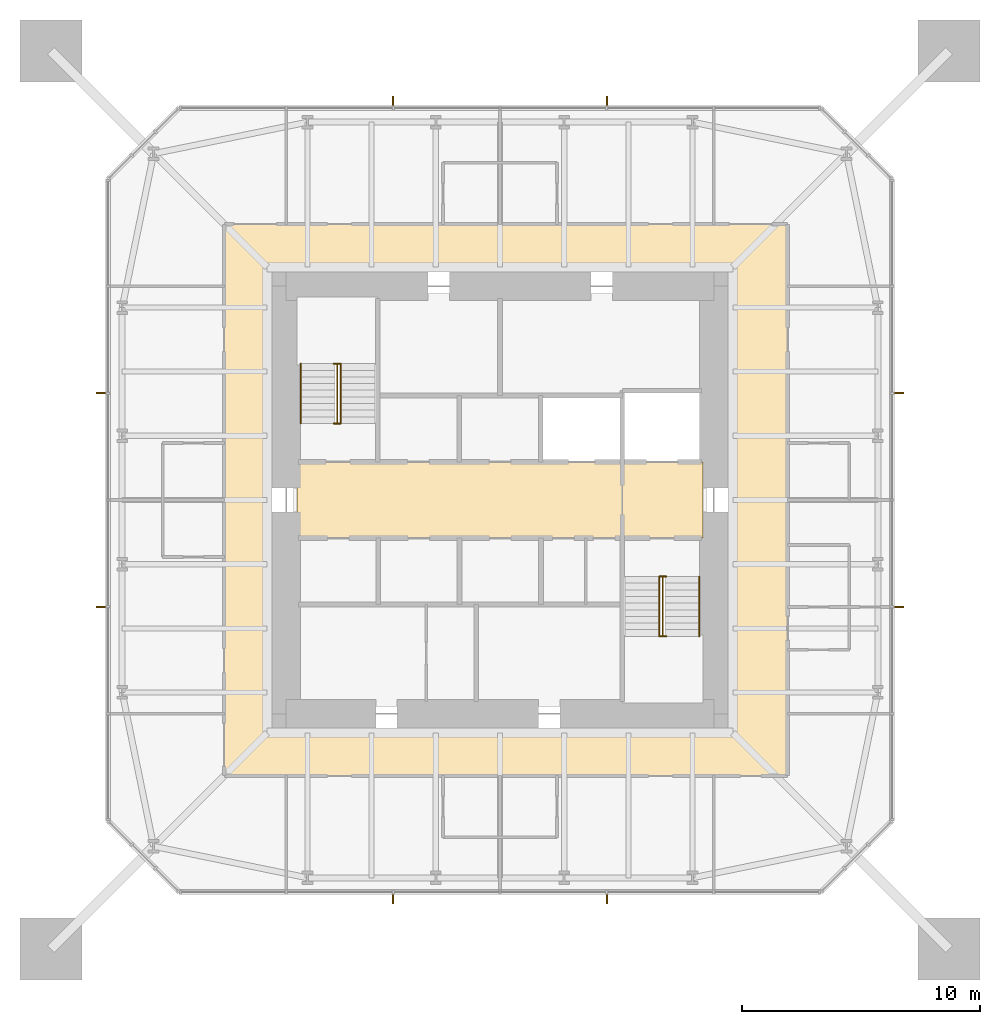
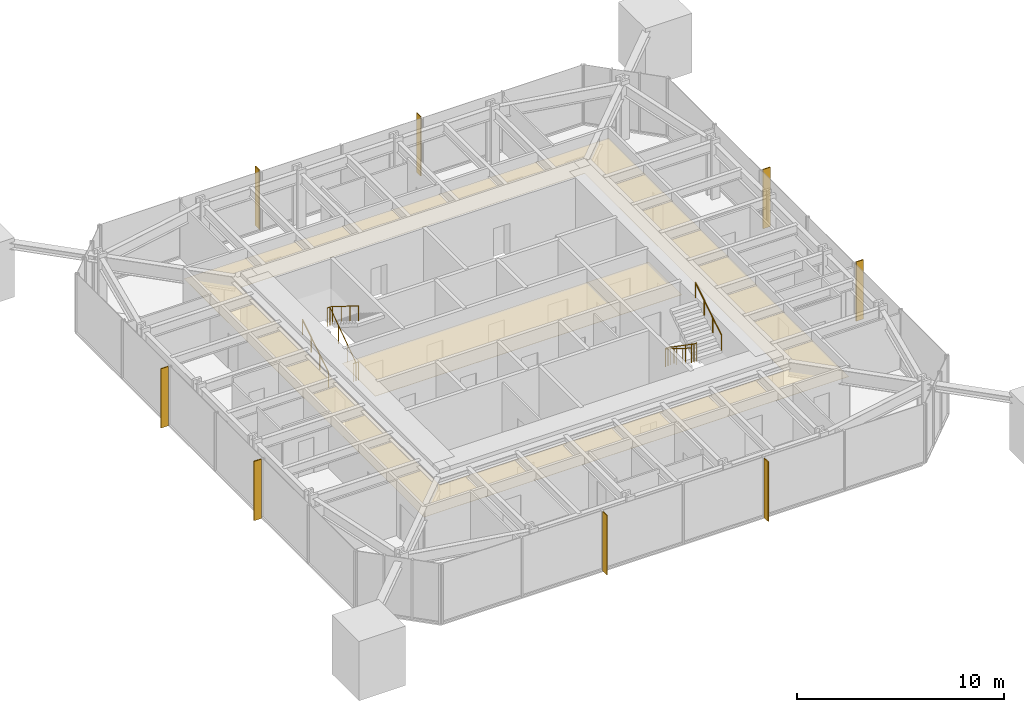
# One storey, part 9 of 9: 8 shading devices, 6 railings, 3 coverings.
"""IFC4 building model written with IfcOpenShell, lengths in metres."""

from ifc_helpers import new_model, si_unit, direction, frame, origin, origin_2d, place, context, subcontext, project, spatial, polyline, rectangle, circle, outline, extrude, material, layer, layer_set, constituent, constituent_set, type_object, element, save


model = new_model("IFC4")

# Units and contexts
model_context = context("Model", 3, precision=1e-05, world=origin(), true_north=direction((0.0, 1.0)))
body_context = subcontext(model_context, "Body", "Model", "MODEL_VIEW")
ifc_project = project(units=[si_unit("LENGTHUNIT", "METRE"), si_unit("AREAUNIT", "SQUARE_METRE"), si_unit("VOLUMEUNIT", "CUBIC_METRE"), si_unit("PLANEANGLEUNIT", "RADIAN"), si_unit("MASSUNIT", "GRAM", prefix="KILO")], contexts=[model_context])

# Site, building, storey
site_placement = place(None, origin())
site = spatial("IfcSite", under=ifc_project, at=site_placement, CompositionType="ELEMENT")
building_placement = place(site_placement, origin())
building = spatial("IfcBuilding", under=site, at=building_placement, Name="Iwan Alto Co-Living Towers", CompositionType="ELEMENT")
storey_placement = place(building_placement, frame((0.0, 0.0, 250.0)))
storey = spatial("IfcBuildingStorey", under=building, at=storey_placement, Name="L68", CompositionType="ELEMENT", Elevation=250.0)

# Coverings
ifc_material_1 = material(Name="Mineral fibre acoustic tiles on steel grid", Category="steel")
ifc_layer_1 = layer(ifc_material_1, 0.02001953125)
ifc_layer_set_1 = layer_set([ifc_layer_1], Name="ACOUSTIC TILE CEILING 20")
covering_type_1 = type_object("IfcCoveringType", Name="ACOUSTIC TILE CEILING 20", PredefinedType="CEILING", material=ifc_layer_set_1)
covering_1_placement = place(storey_placement, frame((0.0, 0.0, 2.60009765625)))
element("IfcCovering", 1, at=covering_1_placement, inside=storey, type_object=covering_type_1, Name="Ceiling Lift lobby L68", PredefinedType="CEILING", context=body_context, shape_type="SweptSolid", body=[
    extrude(outline(polyline([(-8.550048828125, -1.60009765625), (-8.550048828125, 1.60009765625), (5.14990234375, 1.60009765625), (5.14990234375, -1.60009765625), (-8.550048828125, -1.60009765625)])), origin(), (0.0, 0.0, 1.0), 0.02001953125),
])
covering_2_placement = place(storey_placement, frame((0.0, 0.0, 2.60009765625)))
element("IfcCovering", 2, at=covering_2_placement, inside=storey, type_object=covering_type_1, Name="Ceiling Firefighting lobby L68", PredefinedType="CEILING", context=body_context, shape_type="SweptSolid", body=[
    extrude(outline(polyline([(5.14990234375, -1.60009765625), (5.14990234375, 1.60009765625), (8.550048828125, 1.60009765625), (8.550048828125, -1.60009765625), (5.14990234375, -1.60009765625)])), origin(), (0.0, 0.0, 1.0), 0.02001953125),
])

# Shading devices
ifc_material_2 = material(Name="Aluminium 6063-T6 bronze anodised", Category="aluminium")
ifc_layer_2 = layer(ifc_material_2, 0.050048828125)
ifc_layer_set_2 = layer_set([ifc_layer_2], Name="BRONZE FIN 50X400")
shading_device_type = type_object("IfcShadingDeviceType", Name="BRONZE FIN 50X400", PredefinedType="USERDEFINED", material=ifc_layer_set_2)
for number, where, z_axis, x_axis, name in (
    (3, (-4.5, -16.800048828125, 0.0), (0.0, 0.0, 1.0), (1.0, 0.0, 0.0), "Bronze fin L68"),
    (4, (4.5, -16.800048828125, 0.0), (0.0, 0.0, 1.0), (1.0, 0.0, 0.0), "Bronze fin L68"),
    (5, (16.800048828125, -4.5, 0.0), (0.0, 0.0, 1.0), (0.0, 1.0, 0.0), "Bronze fin L68"),
    (6, (16.800048828125, 4.5, 0.0), (0.0, 0.0, 1.0), (0.0, 1.0, 0.0), "Bronze fin L68"),
    (7, (4.5, 16.800048828125, 0.0), (0.0, 0.0, 1.0), (-1.0, 0.0, 0.0), "Bronze fin L68"),
    (8, (-4.5, 16.800048828125, 0.0), (0.0, 0.0, 1.0), (-1.0, 0.0, 0.0), "Bronze fin L68"),
    (9, (-16.800048828125, 4.5, 0.0), (0.0, 0.0, 1.0), (0.0, -1.0, 0.0), "Bronze fin L68"),
    (10, (-16.800048828125, -4.5, 0.0), (0.0, 0.0, 1.0), (0.0, -1.0, 0.0), "Bronze fin L68"),
):
    element("IfcShadingDevice", number, at=place(storey_placement, frame(where, z_axis=z_axis, x_axis=x_axis)), inside=storey, type_object=shading_device_type, Name=name, ObjectType="LOUVER", PredefinedType="USERDEFINED", context=body_context, shape_type="SweptSolid", body=[
        extrude(rectangle(XDim=0.050048828125, YDim=0.39990234375, at=origin_2d()), origin(), (0.0, 0.0, 1.0), 3.5),
    ])

# Railings
ifc_material_3 = material(Name="Steel ASTM A500 Gr C", Category="steel")
ifc_constituent_1 = constituent(ifc_material_3, Name="Rails and posts", Category="Framing")
ifc_material_4 = material(Name="Steel ASTM A36", Category="steel")
ifc_constituent_2 = constituent(ifc_material_4, Name="Bar infill", Category="Infill")
ifc_constituent_set = constituent_set(constituents=[ifc_constituent_1, ifc_constituent_2], Name="STAIR GUARD 1100")
railing_type_1 = type_object("IfcRailingType", Name="STAIR GUARD 1100", PredefinedType="GUARDRAIL", material=ifc_constituent_set)
railing_1_placement = place(storey_placement, frame((-6.85009765625, 3.219970703125, 0.0)))
element("IfcRailing", 11, at=railing_1_placement, inside=storey, type_object=railing_type_1, Name="Stair T1-S1 well guard L68", PredefinedType="GUARDRAIL", context=body_context, shape_type="SweptSolid", body=[
    extrude(circle(Radius=0.02392578125, at=origin_2d()), frame((0.0, 0.0, 1.076171875), z_axis=(0.0, 0.821372036852, 0.570392826987), x_axis=(-1.0, 0.0, 0.0)), (0.0, 0.0, 1.0), 3.068115234375),
    extrude(circle(Radius=0.02392578125, at=origin_2d()), frame((-0.14990234375, 0.0, 1.076171875), z_axis=(1.0, 0.0, 0.0), x_axis=(0.0, 1.0, 0.0)), (0.0, 0.0, 1.0), 0.300048828125),
    extrude(circle(Radius=0.02392578125, at=origin_2d()), frame((-0.14990234375, 2.52001953125, 2.826171875), z_axis=(1.0, 0.0, 0.0), x_axis=(0.0, 1.0, 0.0)), (0.0, 0.0, 1.0), 0.300048828125),
    extrude(circle(Radius=0.02099609375, at=origin_2d()), origin(), (0.0, 0.0, 1.0), 1.052001953125),
    extrude(circle(Radius=0.02099609375, at=origin_2d()), frame((0.0, 0.840087890625, 0.583251953125)), (0.0, 0.0, 1.0), 1.052001953125),
    extrude(circle(Radius=0.02099609375, at=origin_2d()), frame((0.0, 1.679931640625, 1.166748046875)), (0.0, 0.0, 1.0), 1.052001953125),
    extrude(circle(Radius=0.02099609375, at=origin_2d()), frame((0.0, 2.52001953125, 1.75)), (0.0, 0.0, 1.0), 1.052001953125),
    extrude(circle(Radius=0.02099609375, at=origin_2d()), frame((-0.14990234375, 0.0, 0.0)), (0.0, 0.0, 1.0), 1.052001953125),
    extrude(circle(Radius=0.02099609375, at=origin_2d()), frame((0.150146484375, 0.0, 0.0)), (0.0, 0.0, 1.0), 1.052001953125),
    extrude(circle(Radius=0.02099609375, at=origin_2d()), frame((-0.14990234375, 2.52001953125, 1.75)), (0.0, 0.0, 1.0), 1.052001953125),
    extrude(circle(Radius=0.02099609375, at=origin_2d()), frame((0.150146484375, 2.52001953125, 1.75)), (0.0, 0.0, 1.0), 1.052001953125),
])
railing_2_placement = place(storey_placement, frame((6.85009765625, -3.219970703125, 0.0)))
element("IfcRailing", 12, at=railing_2_placement, inside=storey, type_object=railing_type_1, Name="Stair T1-S2 well guard L68", PredefinedType="GUARDRAIL", context=body_context, shape_type="SweptSolid", body=[
    extrude(circle(Radius=0.02392578125, at=origin_2d()), frame((0.0, 0.0, 1.076171875), z_axis=(0.0, -0.821372036852, 0.570392826987), x_axis=(1.0, 0.0, 0.0)), (0.0, 0.0, 1.0), 3.068115234375),
    extrude(circle(Radius=0.02392578125, at=origin_2d()), frame((-0.150146484375, 0.0, 1.076171875), z_axis=(1.0, 0.0, 0.0), x_axis=(0.0, 1.0, 0.0)), (0.0, 0.0, 1.0), 0.300048828125),
    extrude(circle(Radius=0.02392578125, at=origin_2d()), frame((-0.150146484375, -2.52001953125, 2.826171875), z_axis=(1.0, 0.0, 0.0), x_axis=(0.0, 1.0, 0.0)), (0.0, 0.0, 1.0), 0.300048828125),
    extrude(circle(Radius=0.02099609375, at=origin_2d()), origin(), (0.0, 0.0, 1.0), 1.052001953125),
    extrude(circle(Radius=0.02099609375, at=origin_2d()), frame((0.0, -0.840087890625, 0.583251953125)), (0.0, 0.0, 1.0), 1.052001953125),
    extrude(circle(Radius=0.02099609375, at=origin_2d()), frame((0.0, -1.679931640625, 1.166748046875)), (0.0, 0.0, 1.0), 1.052001953125),
    extrude(circle(Radius=0.02099609375, at=origin_2d()), frame((0.0, -2.52001953125, 1.75)), (0.0, 0.0, 1.0), 1.052001953125),
    extrude(circle(Radius=0.02099609375, at=origin_2d()), frame((-0.150146484375, 0.0, 0.0)), (0.0, 0.0, 1.0), 1.052001953125),
    extrude(circle(Radius=0.02099609375, at=origin_2d()), frame((0.14990234375, 0.0, 0.0)), (0.0, 0.0, 1.0), 1.052001953125),
    extrude(circle(Radius=0.02099609375, at=origin_2d()), frame((-0.150146484375, -2.52001953125, 1.75)), (0.0, 0.0, 1.0), 1.052001953125),
    extrude(circle(Radius=0.02099609375, at=origin_2d()), frame((0.14990234375, -2.52001953125, 1.75)), (0.0, 0.0, 1.0), 1.052001953125),
])
ifc_material_5 = material(Name="Steel ASTM A500 Gr C", Category="steel")
railing_type_2 = type_object("IfcRailingType", Name="STAIR HANDRAIL 900", PredefinedType="HANDRAIL", material=ifc_material_5)
railing_3_placement = place(storey_placement, frame((-8.3798828125, 3.219970703125, 0.175048828125)))
element("IfcRailing", 13, at=railing_3_placement, inside=storey, type_object=railing_type_2, Name="Stair T1-S1 handrail 1 L68", PredefinedType="HANDRAIL", context=body_context, shape_type="SweptSolid", body=[
    extrude(circle(Radius=0.02392578125, at=origin_2d()), frame((0.0, 0.0, 0.8759765625), z_axis=(0.0, 0.848007534815, 0.529984170421), x_axis=(-1.0, 0.0, 0.0)), (0.0, 0.0, 1.0), 2.9716796875),
    extrude(circle(Radius=0.02099609375, at=origin_2d()), origin(), (0.0, 0.0, 1.0), 0.851806640625),
    extrude(circle(Radius=0.02099609375, at=origin_2d()), frame((0.0, 0.840087890625, 0.52490234375)), (0.0, 0.0, 1.0), 0.851806640625),
    extrude(circle(Radius=0.02099609375, at=origin_2d()), frame((0.0, 1.679931640625, 1.050048828125)), (0.0, 0.0, 1.0), 0.851806640625),
    extrude(circle(Radius=0.02099609375, at=origin_2d()), frame((0.0, 2.52001953125, 1.574951171875)), (0.0, 0.0, 1.0), 0.851806640625),
])
for number, where, name in (
    (14, (-6.699951171875, 5.739990234375, 1.925048828125), "Stair T1-S1 handrail 2 L68"),
    (15, (6.699951171875, -3.219970703125, 0.175048828125), "Stair T1-S2 handrail 1 L68"),
):
    element("IfcRailing", number, at=place(storey_placement, frame(where)), inside=storey, type_object=railing_type_2, Name=name, PredefinedType="HANDRAIL", context=body_context, shape_type="SweptSolid", body=[
        extrude(circle(Radius=0.02392578125, at=origin_2d()), frame((0.0, 0.0, 0.8759765625), z_axis=(0.0, -0.848007534815, 0.529984170421), x_axis=(1.0, 0.0, 0.0)), (0.0, 0.0, 1.0), 2.9716796875),
        extrude(circle(Radius=0.02099609375, at=origin_2d()), origin(), (0.0, 0.0, 1.0), 0.851806640625),
        extrude(circle(Radius=0.02099609375, at=origin_2d()), frame((0.0, -0.840087890625, 0.52490234375)), (0.0, 0.0, 1.0), 0.851806640625),
        extrude(circle(Radius=0.02099609375, at=origin_2d()), frame((0.0, -1.679931640625, 1.050048828125)), (0.0, 0.0, 1.0), 0.851806640625),
        extrude(circle(Radius=0.02099609375, at=origin_2d()), frame((0.0, -2.52001953125, 1.574951171875)), (0.0, 0.0, 1.0), 0.851806640625),
    ])
railing_4_placement = place(storey_placement, frame((8.3798828125, -5.739990234375, 1.925048828125)))
element("IfcRailing", 16, at=railing_4_placement, inside=storey, type_object=railing_type_2, Name="Stair T1-S2 handrail 2 L68", PredefinedType="HANDRAIL", context=body_context, shape_type="SweptSolid", body=[
    extrude(circle(Radius=0.02392578125, at=origin_2d()), frame((0.0, 0.0, 0.8759765625), z_axis=(0.0, 0.848007534815, 0.529984170421), x_axis=(-1.0, 0.0, 0.0)), (0.0, 0.0, 1.0), 2.9716796875),
    extrude(circle(Radius=0.02099609375, at=origin_2d()), origin(), (0.0, 0.0, 1.0), 0.851806640625),
    extrude(circle(Radius=0.02099609375, at=origin_2d()), frame((0.0, 0.840087890625, 0.52490234375)), (0.0, 0.0, 1.0), 0.851806640625),
    extrude(circle(Radius=0.02099609375, at=origin_2d()), frame((0.0, 1.679931640625, 1.050048828125)), (0.0, 0.0, 1.0), 0.851806640625),
    extrude(circle(Radius=0.02099609375, at=origin_2d()), frame((0.0, 2.52001953125, 1.574951171875)), (0.0, 0.0, 1.0), 0.851806640625),
])

# Covering
ifc_material_6 = material(Name="Gypsum plasterboard on steel grid", Category="steel")
ifc_layer_3 = layer(ifc_material_6, 0.014892578125)
ifc_layer_set_3 = layer_set([ifc_layer_3], Name="SUSPENDED PLASTERBOARD CEILING 15")
covering_type_2 = type_object("IfcCoveringType", Name="SUSPENDED PLASTERBOARD CEILING 15", PredefinedType="CEILING", material=ifc_layer_set_3)
covering_3_placement = place(storey_placement, frame((0.0, 0.0, 2.60009765625)))
element("IfcCovering", 17, at=covering_3_placement, inside=storey, type_object=covering_type_2, Name="Ceiling Corridor L68", PredefinedType="CEILING", context=body_context, shape_type="SweptSolid", body=[
    extrude(outline(polyline([(-11.60009765625, 11.60009765625), (12.10009765625, 11.60009765625), (12.10009765625, -11.60009765625), (-11.60009765625, -11.60009765625), (-11.60009765625, 11.60009765625)]), holes=[polyline([(-9.60009765625, 9.60009765625), (-9.60009765625, -9.60009765625), (9.60009765625, -9.60009765625), (9.60009765625, 9.60009765625), (-9.60009765625, 9.60009765625)])]), origin(), (0.0, 0.0, 1.0), 0.014892578125),
])

save(model, "model.ifc")
